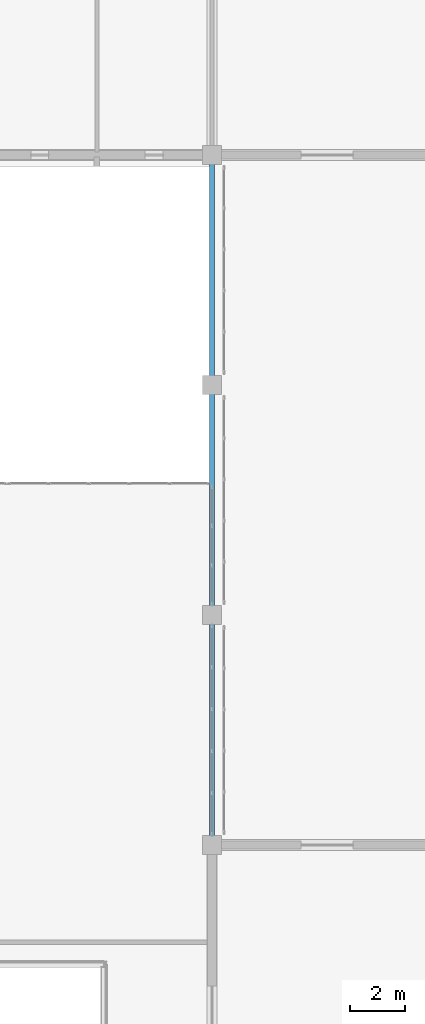
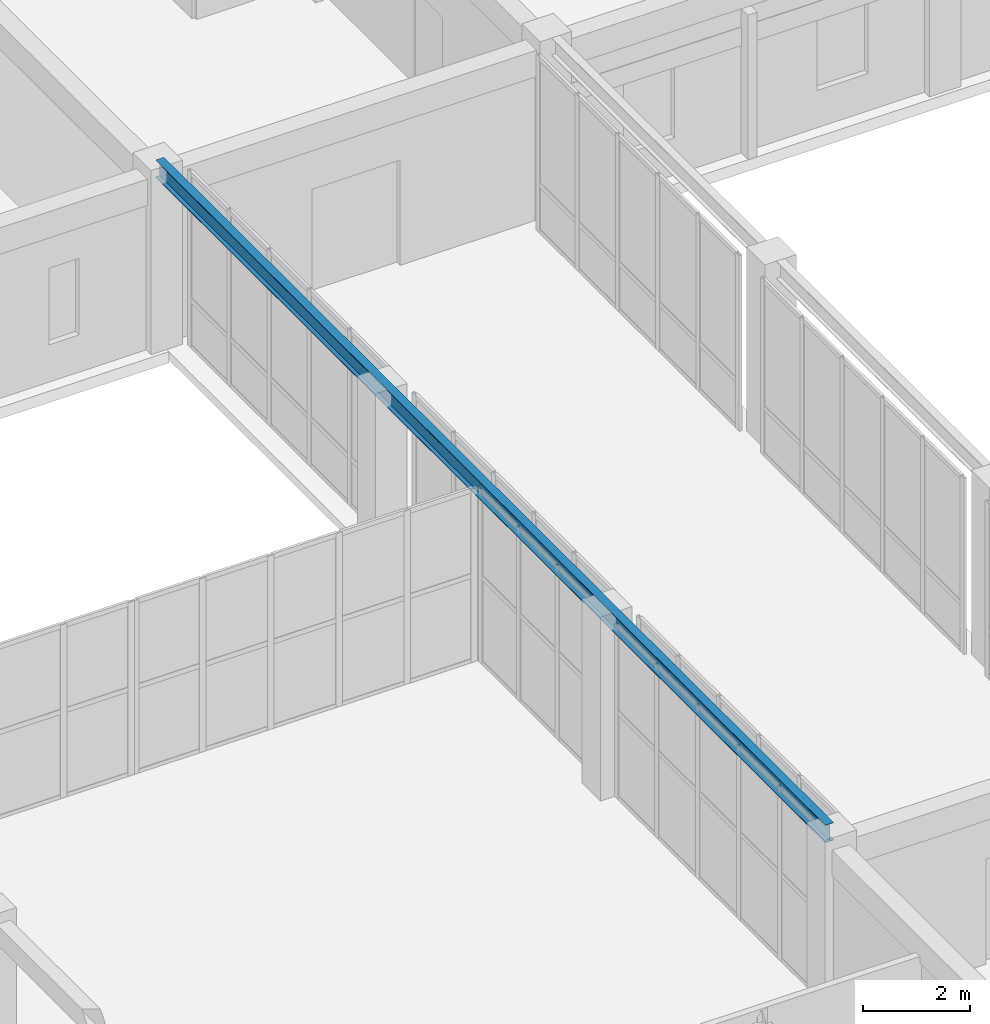
# One storey, part 63 of 140: 1 beam.
"""IFC4 building model written with IfcOpenShell, lengths in metres."""

from ifc_helpers import new_model, si_unit, direction, frame, origin, origin_2d, place, context, subcontext, project, spatial, i_section, extrude, material, material_profile, profile_set, type_object, element, save


model = new_model("IFC4")

# Units and contexts
model_context = context("Model", 3, precision=1e-05, world=origin(), true_north=direction((0.0, 1.0)))
body_context = subcontext(model_context, "Body", "Model", "MODEL_VIEW")
ifc_project = project(units=[si_unit("LENGTHUNIT", "METRE"), si_unit("AREAUNIT", "SQUARE_METRE"), si_unit("VOLUMEUNIT", "CUBIC_METRE"), si_unit("PLANEANGLEUNIT", "RADIAN"), si_unit("MASSUNIT", "GRAM", prefix="KILO")], contexts=[model_context])

# Site, building, storey
site_placement = place(None, origin())
site = spatial("IfcSite", under=ifc_project, at=site_placement, CompositionType="ELEMENT")
building_placement = place(site_placement, origin())
building = spatial("IfcBuilding", under=site, at=building_placement, Name="Trelvath General Hospital", CompositionType="ELEMENT")
storey_placement = place(building_placement, frame((0.0, 0.0, 16.199951171875)))
storey = spatial("IfcBuildingStorey", under=building, at=storey_placement, Name="L04", CompositionType="ELEMENT", Elevation=16.199951171875)

# Beam
ifc_material = material(Name="Steel S355", Category="steel")
ifc_material_profile = material_profile(ifc_material, i_section(OverallWidth=0.179931640625, OverallDepth=0.39990234375, WebThickness=0.008544921875, FlangeThickness=0.013427734375, at=origin_2d()), Name="IPE400")
ifc_profile_set = profile_set([ifc_material_profile], Name="Steel S355")
beam_type = type_object("IfcBeamType", Name="BridgeGirder IPE400", PredefinedType="BEAM", material=ifc_profile_set)
beam_placement = place(storey_placement, frame((75.60009765625, 67.280029296875, 4.0), z_axis=(0.0, 1.0, 0.0), x_axis=(-1.0, 0.0, 0.0)))
element("IfcBeam", 1, at=beam_placement, inside=storey, type_object=beam_type, Name="Bridge Roof Girder BRG-N-C W", PredefinedType="BEAM", context=body_context, shape_type="SweptSolid", body=[
    extrude(i_section(OverallWidth=0.179931640625, OverallDepth=0.39990234375, WebThickness=0.008544921875, FlangeThickness=0.013427734375, at=origin_2d()), origin(), (0.0, 0.0, 1.0), 25.0400390625),
])

save(model, "model.ifc")
